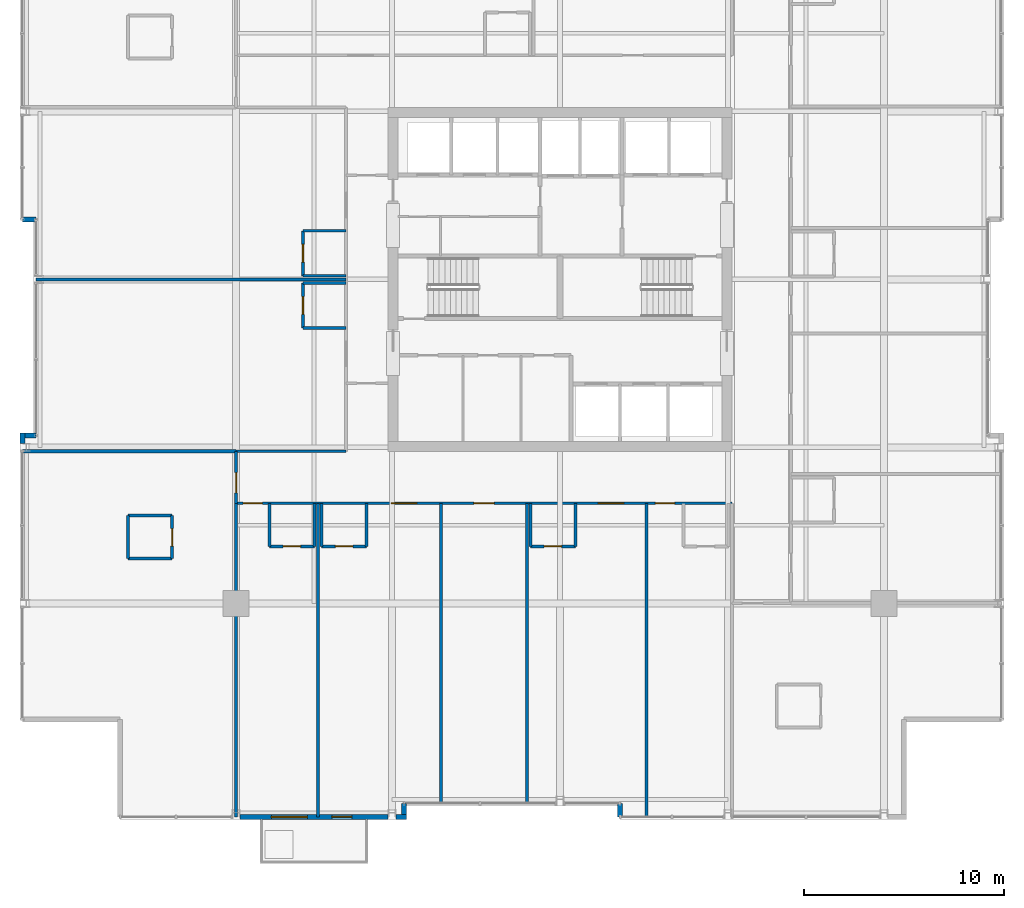
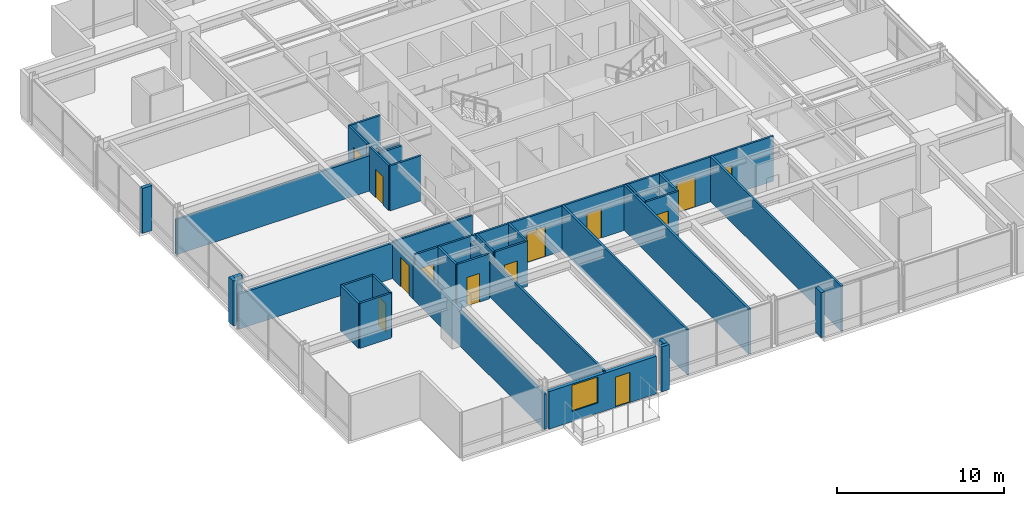
# One storey, part 26 of 32: 36 walls, 13 doors, 1 window, 14 openings.
"""IFC4 building model written with IfcOpenShell, lengths in metres."""

import ifcopenshell
import ifcopenshell.guid

model = None  # the IFC model being written
_history = None  # IfcOwnerHistory: only IFC2X3 demands one
_inside = {}  # id of a spatial element -> (the spatial element, [elements in it])
_under = {}  # id of a project, library or spatial element -> (it, [spatial elements below it])
_declared = {}  # id of a project -> (the project, [libraries it declares])
_typed = {}  # id of a type object -> (the type object, [elements of that type])
_made_of = {}  # id of a material, layer set ... -> (it, [elements and type objects made of it])


def new_model(schema):
    """Start an empty IFC model of exactly this schema.

    Asked for "IFC4X3", IfcOpenShell would pick the latest addendum, in which some entities
    have other attributes; the version numbers below select the first issue.
    IFC2X3 requires an IfcOwnerHistory on every rooted entity: one is made here for all.
    """
    global model, _history
    if schema == "IFC4X3":
        model = ifcopenshell.file(schema_version=(4, 3, 0, 0))
    else:
        model = ifcopenshell.file(schema=schema)
    _inside.clear()
    _under.clear()
    _declared.clear()
    _typed.clear()
    _made_of.clear()
    _history = None
    if model.schema == "IFC2X3":
        org = make("IfcOrganization", Name="unknown")
        user = make(
            "IfcPersonAndOrganization",
            ThePerson=make("IfcPerson", FamilyName="unknown"),
            TheOrganization=org,
        )
        app = make(
            "IfcApplication",
            ApplicationDeveloper=org,
            Version="unknown",
            ApplicationFullName="unknown",
            ApplicationIdentifier="unknown",
        )
        _history = make(
            "IfcOwnerHistory",
            OwningUser=user,
            OwningApplication=app,
            ChangeAction="ADDED",
            CreationDate=0,
        )
    return model


def make(cls, **values):
    """One entity of the class cls with the attributes given. An attribute that is None is left unset."""
    return model.create_entity(
        cls, **{name: value for name, value in values.items() if value is not None}
    )


def rooted(cls, **values):
    """An entity with a GlobalId (a new one), such as an element, a storey or a relation."""
    return make(cls, GlobalId=ifcopenshell.guid.new(), OwnerHistory=_history, **values)


def si_unit(unit_type, name, prefix=None):
    """IfcSIUnit, for example si_unit("LENGTHUNIT", "METRE", prefix="MILLI")."""
    return make("IfcSIUnit", UnitType=unit_type, Prefix=prefix, Name=name)


def assignment(units):
    """IfcUnitAssignment: the units of a project."""
    return None if units is None else make("IfcUnitAssignment", Units=units)


def point(xyz):
    """IfcCartesianPoint."""
    return None if xyz is None else make("IfcCartesianPoint", Coordinates=xyz)


def direction(xyz):
    """IfcDirection."""
    return None if xyz is None else make("IfcDirection", DirectionRatios=xyz)


def frame(location, z_axis=None, x_axis=None):
    """IfcAxis2Placement3D, a coordinate frame: its origin and axes. An axis left out is left unset."""
    return make(
        "IfcAxis2Placement3D",
        Location=point(location),
        Axis=direction(z_axis),
        RefDirection=direction(x_axis),
    )


def frame_2d(location, x_axis=None):
    """IfcAxis2Placement2D, a coordinate frame in the plane: its origin and x axis."""
    return make(
        "IfcAxis2Placement2D", Location=point(location), RefDirection=direction(x_axis)
    )


def origin():
    """The frame at (0, 0, 0) with its axes left unset."""
    return frame((0.0, 0.0, 0.0))


def place(relative_to, where):
    """IfcLocalPlacement: puts the frame where relative to a parent placement (None: the world)."""
    return make(
        "IfcLocalPlacement", PlacementRelTo=relative_to, RelativePlacement=where
    )


def context(
    kind, dimensions, precision=None, world=None, true_north=None, identifier=None
):
    """IfcGeometricRepresentationContext, for example the 3D "Model" context."""
    return make(
        "IfcGeometricRepresentationContext",
        ContextIdentifier=identifier,
        ContextType=kind,
        CoordinateSpaceDimension=dimensions,
        Precision=precision,
        WorldCoordinateSystem=world,
        TrueNorth=true_north,
    )


def subcontext(parent, identifier, kind, view, scale=None):
    """IfcGeometricRepresentationSubContext, for example "Body" below "Model"."""
    return make(
        "IfcGeometricRepresentationSubContext",
        ContextIdentifier=identifier,
        ContextType=kind,
        ParentContext=parent,
        TargetScale=scale,
        TargetView=view,
    )


def project(units=None, contexts=None):
    """IfcProject with its units and contexts."""
    return rooted(
        "IfcProject",
        Name="project",
        RepresentationContexts=contexts,
        UnitsInContext=assignment(units),
    )


def spatial(cls, under=None, at=None, **own):
    """A site, building, storey or space (cls), placed at a placement, below another one or the project."""
    s = rooted(cls, ObjectPlacement=at, **own)
    if under is not None:
        _under.setdefault(under.id(), (under, []))[1].append(s)
    return s


def profile(cls, at=None, kind="AREA", **sizes):
    """A parametric profile (cls). Its sizes go by their IFC names, for example OverallWidth=200.0."""
    return make(cls, ProfileType=kind, Position=at, **sizes)


def rectangle(**sizes):
    """IfcRectangleProfileDef."""
    return profile("IfcRectangleProfileDef", **sizes)


def extrude(swept, where, along, depth):
    """IfcExtrudedAreaSolid: the profile swept, set in the frame where, extruded along a direction by depth."""
    return make(
        "IfcExtrudedAreaSolid",
        SweptArea=swept,
        Position=where,
        ExtrudedDirection=direction(along),
        Depth=depth,
    )


def shape(context_of_items, identifier, shape_type, items):
    """IfcShapeRepresentation: the items that make up one representation, for example the "Body"."""
    return make(
        "IfcShapeRepresentation",
        ContextOfItems=context_of_items,
        RepresentationIdentifier=identifier,
        RepresentationType=shape_type,
        Items=items,
    )


def material(Name=None, Category=None):
    """IfcMaterial."""
    return make("IfcMaterial", Name=Name, Category=Category)


def layer(
    of_material, thickness, ventilated=None, Name=None, Category=None, Priority=None
):
    """IfcMaterialLayer: one layer of a wall or slab, of a material (None: an air gap)."""
    return make(
        "IfcMaterialLayer",
        Material=of_material,
        LayerThickness=thickness,
        IsVentilated=ventilated,
        Name=Name,
        Category=Category,
        Priority=Priority,
    )


def layer_set(layers, Name=None):
    """IfcMaterialLayerSet."""
    return make("IfcMaterialLayerSet", MaterialLayers=layers, LayerSetName=Name)


def made_of(thing, what):
    """Note that an element or type object is made of a material, layer set ...; save() writes the relation."""
    if what is not None:
        _made_of.setdefault(what.id(), (what, []))[1].append(thing)
    return thing


def type_object(cls, material=None, **own):
    """A type object (cls), such as IfcWallType, which elements share."""
    return made_of(rooted(cls, **own), material)


def element(
    cls,
    number,
    at=None,
    inside=None,
    cuts=None,
    type_object=None,
    material=None,
    context=None,
    identifier="Body",
    shape_type=None,
    held_by="IfcProductDefinitionShape",
    body=None,
    shapes=None,
    **own,
):
    """One element of the class cls, such as IfcWall. Its Tag is "e" and its number.

    at: its placement. inside: the storey or other place that contains it. cuts: it is an
    opening in that element (IfcRelVoidsElement). A single representation is given by context,
    identifier, shape_type and body (its items); several are given by shapes. held_by: the class
    of the entity that holds the representations. save() writes the other relations.
    """
    e = rooted(cls, Tag="e%d" % number, ObjectPlacement=at, **own)
    if body is not None:
        shapes = [shape(context, identifier, shape_type, body)]
    if shapes is not None:
        e.Representation = make(held_by, Representations=shapes)
    if inside is not None:
        _inside.setdefault(inside.id(), (inside, []))[1].append(e)
    if cuts is not None:
        rooted(
            "IfcRelVoidsElement", RelatingBuildingElement=cuts, RelatedOpeningElement=e
        )
    if type_object is not None:
        _typed.setdefault(type_object.id(), (type_object, []))[1].append(e)
    return made_of(e, material)


def fill(opening, filler):
    """IfcRelFillsElement: the door or window that sits in an opening."""
    return rooted(
        "IfcRelFillsElement",
        RelatingOpeningElement=opening,
        RelatedBuildingElement=filler,
    )


def aggregate(whole, parts):
    """IfcRelAggregates: a whole, such as a stair, and the parts it consists of."""
    return rooted("IfcRelAggregates", RelatingObject=whole, RelatedObjects=parts)


def save(model, path):
    """Write the relations noted so far, then the file.

    IfcRelAggregates (storeys below a building ...), IfcRelContainedInSpatialStructure (elements
    in a storey), IfcRelDefinesByType, IfcRelAssociatesMaterial and IfcRelDeclares: one each for
    every whole, place, type object, material and project.
    """
    for whole, parts in _under.values():
        aggregate(whole, parts)
    for where, things in _inside.values():
        rooted(
            "IfcRelContainedInSpatialStructure",
            RelatedElements=things,
            RelatingStructure=where,
        )
    for kind, things in _typed.values():
        rooted("IfcRelDefinesByType", RelatedObjects=things, RelatingType=kind)
    for what, things in _made_of.values():
        rooted("IfcRelAssociatesMaterial", RelatedObjects=things, RelatingMaterial=what)
    for by, libraries in _declared.values():
        rooted("IfcRelDeclares", RelatingContext=by, RelatedDefinitions=libraries)
    model.write(path)


model = new_model("IFC4")

# Units and contexts
model_context = context("Model", 3, precision=1e-05, world=origin(), true_north=direction((0.0, 1.0)))
body_context = subcontext(model_context, "Body", "Model", "MODEL_VIEW")
ifc_project = project(units=[si_unit("LENGTHUNIT", "METRE"), si_unit("AREAUNIT", "SQUARE_METRE"), si_unit("VOLUMEUNIT", "CUBIC_METRE"), si_unit("PLANEANGLEUNIT", "RADIAN"), si_unit("MASSUNIT", "GRAM", prefix="KILO")], contexts=[model_context])

# Site, building, storey
site_placement = place(None, origin())
site = spatial("IfcSite", under=ifc_project, at=site_placement, CompositionType="ELEMENT")
building_placement = place(site_placement, origin())
building = spatial("IfcBuilding", under=site, at=building_placement, Name="Drelvath Grand Hotel", CompositionType="ELEMENT")
storey_placement = place(building_placement, frame((0.0, 0.0, 193.0)))
storey = spatial("IfcBuildingStorey", under=building, at=storey_placement, Name="L50", CompositionType="ELEMENT", Elevation=193.0)

# Wall
ifc_material_1 = material(Name="Gypsum Fireboard Partition")
ifc_layer_1 = layer(ifc_material_1, 0.135009765625)
ifc_layer_set_1 = layer_set([ifc_layer_1], Name="Gypsum Fireboard Partition")
wall_type_1 = type_object("IfcWallType", Name="Corridor Fire Barrier Wall 135", PredefinedType="PARTITIONING", material=ifc_layer_set_1)
wall_1_placement = place(storey_placement, frame((-16.199951171875, 18.39990234375, 0.0), z_axis=(0.0, 0.0, 1.0), x_axis=(1.0, 0.0, 0.0)))
element("IfcWall", 1, at=wall_1_placement, inside=storey, type_object=wall_type_1, Name="L50 SW Stub North Wall", PredefinedType="PARTITIONING", context=body_context, shape_type="SweptSolid", body=[
    extrude(rectangle(XDim=5.5, YDim=0.135009765625, at=frame_2d((2.75, 0.0))), origin(), (0.0, 0.0, 1.0), 2.66748046875),
])

# Wall, openings, doors
wall_2_placement = place(storey_placement, frame((-16.199951171875, 15.800048828125, 0.0), z_axis=(0.0, 0.0, 1.0), x_axis=(1.0, 0.0, 0.0)))
wall_2 = element("IfcWall", 2, at=wall_2_placement, inside=storey, type_object=wall_type_1, Name="L50 South Stub Corridor Wall", PredefinedType="PARTITIONING", context=body_context, shape_type="SweptSolid", body=[
    extrude(rectangle(XDim=24.800048828125, YDim=0.135009765625, at=frame_2d((12.39990234375, 0.0))), origin(), (0.0, 0.0, 1.0), 3.2900390625),
])
opening_1_placement = place(wall_2_placement, frame((0.35498046875, 0.0, 0.0)))
opening_1 = element("IfcOpeningElement", 3, at=opening_1_placement, cuts=wall_2, Name="Opening D-T3G5-035", PredefinedType="OPENING", context=body_context, shape_type="SweptSolid", body=[
    extrude(rectangle(XDim=0.9599609375, YDim=2.14990234375, at=frame_2d((0.47998046875, 1.074951171875))), frame((0.0, 0.077392578125, 0.0), z_axis=(0.0, -1.0, 0.0), x_axis=(1.0, 0.0, 0.0)), (0.0, 0.0, 1.0), 0.155029296875),
])
opening_2_placement = place(wall_2_placement, frame((7.76611328125, 0.0, 0.0)))
opening_2 = element("IfcOpeningElement", 4, at=opening_2_placement, cuts=wall_2, Name="Opening D-T3G5-037", PredefinedType="OPENING", context=body_context, shape_type="SweptSolid", body=[
    extrude(rectangle(XDim=1.260009765625, YDim=2.199951171875, at=frame_2d((0.6298828125, 1.10009765625))), frame((0.0, 0.077392578125, 0.0), z_axis=(0.0, -1.0, 0.0), x_axis=(1.0, 0.0, 0.0)), (0.0, 0.0, 1.0), 0.155029296875),
])
opening_3_placement = place(wall_2_placement, frame((11.889892578125, 0.0, 0.0)))
opening_3 = element("IfcOpeningElement", 5, at=opening_3_placement, cuts=wall_2, Name="Opening D-T3G5-038", PredefinedType="OPENING", context=body_context, shape_type="SweptSolid", body=[
    extrude(rectangle(XDim=1.02001953125, YDim=2.14990234375, at=frame_2d((0.510009765625, 1.074951171875))), frame((0.0, 0.077392578125, 0.0), z_axis=(0.0, -1.0, 0.0), x_axis=(1.0, 0.0, 0.0)), (0.0, 0.0, 1.0), 0.155029296875),
])
opening_4_placement = place(wall_2_placement, frame((18.115966796875, 0.0, 0.0)))
opening_4 = element("IfcOpeningElement", 6, at=opening_4_placement, cuts=wall_2, Name="Opening D-T3G5-040", PredefinedType="OPENING", context=body_context, shape_type="SweptSolid", body=[
    extrude(rectangle(XDim=1.260009765625, YDim=2.199951171875, at=frame_2d((0.6298828125, 1.10009765625))), frame((0.0, 0.077392578125, 0.0), z_axis=(0.0, -1.0, 0.0), x_axis=(1.0, 0.0, 0.0)), (0.0, 0.0, 1.0), 0.155029296875),
])
opening_5_placement = place(wall_2_placement, frame((20.967041015625, 0.0, 0.0)))
opening_5 = element("IfcOpeningElement", 7, at=opening_5_placement, cuts=wall_2, Name="Opening D-T3G5-042", PredefinedType="OPENING", context=body_context, shape_type="SweptSolid", body=[
    extrude(rectangle(XDim=0.9599609375, YDim=2.14990234375, at=frame_2d((0.47998046875, 1.074951171875))), frame((0.0, 0.077392578125, 0.0), z_axis=(0.0, -1.0, 0.0), x_axis=(1.0, 0.0, 0.0)), (0.0, 0.0, 1.0), 0.155029296875),
])
ifc_material_2 = material(Name="Hardwood Walnut Timber", Category="wood")
door_type_1 = type_object("IfcDoorType", Name="Amenity Meeting Fire Door 1020x2150", OperationType="NOTDEFINED", PredefinedType="DOOR", material=ifc_material_2)
door_1_placement = place(opening_3_placement, origin())
door_1 = element("IfcDoor", 8, at=door_1_placement, inside=storey, type_object=door_type_1, Name="L50 Boardroom Entry Door", OperationType="SINGLE_SWING_RIGHT", OverallHeight=2.14990234375, OverallWidth=1.02001953125, PredefinedType="DOOR", context=body_context, shape_type="SweptSolid", body=[
    extrude(rectangle(XDim=1.02001953125, YDim=2.14990234375, at=frame_2d((0.510009765625, 1.074951171875))), frame((0.0, 0.02490234375, 0.0), z_axis=(0.0, -1.0, 0.0), x_axis=(1.0, 0.0, 0.0)), (0.0, 0.0, 1.0), 0.050048828125),
])
fill(opening_3, door_1)
door_type_2 = type_object("IfcDoorType", Name="Guestroom Entrance Fire Door 960x2150", OperationType="NOTDEFINED", PredefinedType="DOOR", material=ifc_material_2)
door_2_placement = place(opening_1_placement, origin())
door_2 = element("IfcDoor", 9, at=door_2_placement, inside=storey, type_object=door_type_2, Name="L50 King Guest Room Entry Door", OperationType="SINGLE_SWING_LEFT", OverallHeight=2.14990234375, OverallWidth=0.9599609375, PredefinedType="DOOR", context=body_context, shape_type="SweptSolid", body=[
    extrude(rectangle(XDim=0.9599609375, YDim=2.14990234375, at=frame_2d((0.47998046875, 1.074951171875))), frame((0.0, 0.02490234375, 0.0), z_axis=(0.0, -1.0, 0.0), x_axis=(1.0, 0.0, 0.0)), (0.0, 0.0, 1.0), 0.050048828125),
])
fill(opening_1, door_2)
door_3_placement = place(opening_5_placement, origin())
door_3 = element("IfcDoor", 10, at=door_3_placement, inside=storey, type_object=door_type_2, Name="L50 King Guest Room Entry Door", OperationType="SINGLE_SWING_RIGHT", OverallHeight=2.14990234375, OverallWidth=0.9599609375, PredefinedType="DOOR", context=body_context, shape_type="SweptSolid", body=[
    extrude(rectangle(XDim=0.9599609375, YDim=2.14990234375, at=frame_2d((0.47998046875, 1.074951171875))), frame((0.0, 0.02490234375, 0.0), z_axis=(0.0, -1.0, 0.0), x_axis=(1.0, 0.0, 0.0)), (0.0, 0.0, 1.0), 0.050048828125),
])
fill(opening_5, door_3)
door_type_3 = type_object("IfcDoorType", Name="Suite Entrance Fire Door 1260x2200", OperationType="NOTDEFINED", PredefinedType="DOOR", material=ifc_material_2)
door_4_placement = place(opening_2_placement, origin())
door_4 = element("IfcDoor", 11, at=door_4_placement, inside=storey, type_object=door_type_3, Name="L50 Executive Suite Entry Door", OperationType="SINGLE_SWING_LEFT", OverallHeight=2.199951171875, OverallWidth=1.260009765625, PredefinedType="DOOR", context=body_context, shape_type="SweptSolid", body=[
    extrude(rectangle(XDim=1.260009765625, YDim=2.199951171875, at=frame_2d((0.6298828125, 1.10009765625))), frame((0.0, 0.02490234375, 0.0), z_axis=(0.0, -1.0, 0.0), x_axis=(1.0, 0.0, 0.0)), (0.0, 0.0, 1.0), 0.050048828125),
])
fill(opening_2, door_4)
door_5_placement = place(opening_4_placement, origin())
door_5 = element("IfcDoor", 12, at=door_5_placement, inside=storey, type_object=door_type_3, Name="L50 Executive Suite Entry Door", OperationType="SINGLE_SWING_RIGHT", OverallHeight=2.199951171875, OverallWidth=1.260009765625, PredefinedType="DOOR", context=body_context, shape_type="SweptSolid", body=[
    extrude(rectangle(XDim=1.260009765625, YDim=2.199951171875, at=frame_2d((0.6298828125, 1.10009765625))), frame((0.0, 0.02490234375, 0.0), z_axis=(0.0, -1.0, 0.0), x_axis=(1.0, 0.0, 0.0)), (0.0, 0.0, 1.0), 0.050048828125),
])
fill(opening_4, door_5)

# Wall, opening, door
wall_3_placement = place(storey_placement, frame((-16.199951171875, 15.800048828125, 0.0), z_axis=(0.0, 0.0, 1.0), x_axis=(0.0, 1.0, 0.0)))
wall_3 = element("IfcWall", 13, at=wall_3_placement, inside=storey, type_object=wall_type_1, Name="L50 South Stub West End", PredefinedType="PARTITIONING", context=body_context, shape_type="SweptSolid", body=[
    extrude(rectangle(XDim=2.599853515625, YDim=0.135009765625, at=frame_2d((1.2998046875, 0.0))), origin(), (0.0, 0.0, 1.0), 2.57958984375),
])
opening_6_placement = place(wall_3_placement, frame((0.52001953125, 0.0, 0.0)))
opening_6 = element("IfcOpeningElement", 14, at=opening_6_placement, cuts=wall_3, Name="Opening D-T3G5-027", PredefinedType="OPENING", context=body_context, shape_type="SweptSolid", body=[
    extrude(rectangle(XDim=1.02001953125, YDim=2.14990234375, at=frame_2d((0.510009765625, 1.074951171875))), frame((0.0, 0.077392578125, 0.0), z_axis=(0.0, -1.0, 0.0), x_axis=(1.0, 0.0, 0.0)), (0.0, 0.0, 1.0), 0.155029296875),
])
door_6_placement = place(opening_6_placement, origin())
door_6 = element("IfcDoor", 15, at=door_6_placement, inside=storey, type_object=door_type_1, Name="L50 Executive Suite Entry Door", OperationType="SINGLE_SWING_LEFT", OverallHeight=2.14990234375, OverallWidth=1.02001953125, PredefinedType="DOOR", context=body_context, shape_type="SweptSolid", body=[
    extrude(rectangle(XDim=1.02001953125, YDim=2.14990234375, at=frame_2d((0.510009765625, 1.074951171875))), frame((0.0, 0.02490234375, 0.0), z_axis=(0.0, -1.0, 0.0), x_axis=(1.0, 0.0, 0.0)), (0.0, 0.0, 1.0), 0.050048828125),
])
fill(opening_6, door_6)

# Walls
ifc_material_3 = material(Name="Moisture-Resistant Gypsum Board")
ifc_layer_2 = layer(ifc_material_3, 0.139892578125)
ifc_layer_set_2 = layer_set([ifc_layer_2], Name="Moisture-Resistant Gypsum Board")
wall_type_2 = type_object("IfcWallType", Name="En-Suite Plumbing Wall 140", PredefinedType="PLUMBINGWALL", material=ifc_layer_set_2)
for number, where, z_axis, x_axis, name in (
    (16, (-21.60009765625, 13.0400390625, 0.0), (0.0, 0.0, 1.0), (1.0, 0.0, 0.0), "L50 Corner En-Suite South"),
    (17, (-21.60009765625, 15.18994140625, 0.0), (0.0, 0.0, 1.0), (1.0, 0.0, 0.0), "L50 Corner En-Suite North"),
):
    element("IfcWall", number, at=place(storey_placement, frame(where, z_axis=z_axis, x_axis=x_axis)), inside=storey, type_object=wall_type_2, Name=name, PredefinedType="PLUMBINGWALL", context=body_context, shape_type="SweptSolid", body=[
        extrude(rectangle(XDim=2.2001953125, YDim=0.139892578125, at=frame_2d((1.10009765625, 0.0))), origin(), (0.0, 0.0, 1.0), 3.2900390625),
    ])
wall_4_placement = place(storey_placement, frame((-21.60009765625, 13.0400390625, 0.0), z_axis=(0.0, 0.0, 1.0), x_axis=(0.0, 1.0, 0.0)))
element("IfcWall", 18, at=wall_4_placement, inside=storey, type_object=wall_type_2, Name="L50 Corner En-Suite West", PredefinedType="PLUMBINGWALL", context=body_context, shape_type="SweptSolid", body=[
    extrude(rectangle(XDim=2.14990234375, YDim=0.139892578125, at=frame_2d((1.074951171875, 0.0))), origin(), (0.0, 0.0, 1.0), 3.2900390625),
])

# Wall, opening, door
wall_5_placement = place(storey_placement, frame((-19.39990234375, 13.0400390625, 0.0), z_axis=(0.0, 0.0, 1.0), x_axis=(0.0, 1.0, 0.0)))
wall_5 = element("IfcWall", 19, at=wall_5_placement, inside=storey, type_object=wall_type_2, Name="L50 Corner En-Suite East", PredefinedType="PLUMBINGWALL", context=body_context, shape_type="SweptSolid", body=[
    extrude(rectangle(XDim=2.14990234375, YDim=0.139892578125, at=frame_2d((1.074951171875, 0.0))), origin(), (0.0, 0.0, 1.0), 3.2900390625),
])
opening_7_placement = place(wall_5_placement, frame((0.6201171875, 0.0, 0.0)))
opening_7 = element("IfcOpeningElement", 20, at=opening_7_placement, cuts=wall_5, Name="Opening D-T3G5-026", PredefinedType="OPENING", context=body_context, shape_type="SweptSolid", body=[
    extrude(rectangle(XDim=0.8798828125, YDim=2.10009765625, at=frame_2d((0.43994140625, 1.050048828125))), frame((0.0, 0.079833984375, 0.0), z_axis=(0.0, -1.0, 0.0), x_axis=(1.0, 0.0, 0.0)), (0.0, 0.0, 1.0), 0.159912109375),
])
door_type_4 = type_object("IfcDoorType", Name="En-Suite Bathroom Door 880x2100", OperationType="NOTDEFINED", PredefinedType="DOOR", material=ifc_material_2)
door_7_placement = place(opening_7_placement, origin())
door_7 = element("IfcDoor", 21, at=door_7_placement, inside=storey, type_object=door_type_4, Name="L50 Corner En-Suite Door", OperationType="SINGLE_SWING_RIGHT", OverallHeight=2.10009765625, OverallWidth=0.8798828125, PredefinedType="DOOR", context=body_context, shape_type="SweptSolid", body=[
    extrude(rectangle(XDim=0.8798828125, YDim=2.10009765625, at=frame_2d((0.43994140625, 1.050048828125))), frame((0.0, 0.02490234375, 0.0), z_axis=(0.0, -1.0, 0.0), x_axis=(1.0, 0.0, 0.0)), (0.0, 0.0, 1.0), 0.050048828125),
])
fill(opening_7, door_7)

# Walls
wall_6_placement = place(storey_placement, frame((-14.530029296875, 15.800048828125, 0.0), z_axis=(0.0, 0.0, 1.0), x_axis=(0.0, -1.0, 0.0)))
element("IfcWall", 22, at=wall_6_placement, inside=storey, type_object=wall_type_2, Name="L50 En-Suite Left Wall", PredefinedType="PLUMBINGWALL", context=body_context, shape_type="SweptSolid", body=[
    extrude(rectangle(XDim=2.150146484375, YDim=0.139892578125, at=frame_2d((1.0751953125, 0.0))), origin(), (0.0, 0.0, 1.0), 3.2900390625),
])
wall_7_placement = place(storey_placement, frame((-12.280029296875, 15.800048828125, 0.0), z_axis=(0.0, 0.0, 1.0), x_axis=(0.0, -1.0, 0.0)))
element("IfcWall", 23, at=wall_7_placement, inside=storey, type_object=wall_type_2, Name="L50 En-Suite Right Wall", PredefinedType="PLUMBINGWALL", context=body_context, shape_type="SweptSolid", body=[
    extrude(rectangle(XDim=2.150146484375, YDim=0.139892578125, at=frame_2d((1.0751953125, 0.0))), origin(), (0.0, 0.0, 1.0), 2.868408203125),
])

# Wall, opening, door
wall_8_placement = place(storey_placement, frame((-14.530029296875, 13.64990234375, 0.0), z_axis=(0.0, 0.0, 1.0), x_axis=(1.0, 0.0, 0.0)))
wall_8 = element("IfcWall", 24, at=wall_8_placement, inside=storey, type_object=wall_type_2, Name="L50 En-Suite Front Wall", PredefinedType="PLUMBINGWALL", context=body_context, shape_type="SweptSolid", body=[
    extrude(rectangle(XDim=2.25, YDim=0.139892578125, at=frame_2d((1.125, 0.0))), origin(), (0.0, 0.0, 1.0), 3.2900390625),
])
opening_8_placement = place(wall_8_placement, frame((0.68505859375, 0.0, 0.0)))
opening_8 = element("IfcOpeningElement", 25, at=opening_8_placement, cuts=wall_8, Name="Opening D-T3G5-034", PredefinedType="OPENING", context=body_context, shape_type="SweptSolid", body=[
    extrude(rectangle(XDim=0.8798828125, YDim=2.10009765625, at=frame_2d((0.43994140625, 1.050048828125))), frame((0.0, 0.079833984375, 0.0), z_axis=(0.0, -1.0, 0.0), x_axis=(1.0, 0.0, 0.0)), (0.0, 0.0, 1.0), 0.159912109375),
])
door_8_placement = place(opening_8_placement, origin())
door_8 = element("IfcDoor", 26, at=door_8_placement, inside=storey, type_object=door_type_4, Name="L50 En-Suite Bathroom Door", OperationType="SINGLE_SWING_RIGHT", OverallHeight=2.10009765625, OverallWidth=0.8798828125, PredefinedType="DOOR", context=body_context, shape_type="SweptSolid", body=[
    extrude(rectangle(XDim=0.8798828125, YDim=2.10009765625, at=frame_2d((0.43994140625, 1.050048828125))), frame((0.0, 0.02490234375, 0.0), z_axis=(0.0, -1.0, 0.0), x_axis=(1.0, 0.0, 0.0)), (0.0, 0.0, 1.0), 0.050048828125),
])
fill(opening_8, door_8)

# Walls
for number, where, z_axis, x_axis, name in (
    (27, (-11.919921875, 15.800048828125, 0.0), (0.0, 0.0, 1.0), (0.0, -1.0, 0.0), "L50 En-Suite Left Wall"),
    (28, (-9.669921875, 15.800048828125, 0.0), (0.0, 0.0, 1.0), (0.0, -1.0, 0.0), "L50 En-Suite Right Wall"),
):
    element("IfcWall", number, at=place(storey_placement, frame(where, z_axis=z_axis, x_axis=x_axis)), inside=storey, type_object=wall_type_2, Name=name, PredefinedType="PLUMBINGWALL", context=body_context, shape_type="SweptSolid", body=[
        extrude(rectangle(XDim=2.150146484375, YDim=0.139892578125, at=frame_2d((1.0751953125, 0.0))), origin(), (0.0, 0.0, 1.0), 3.2900390625),
    ])

# Wall, opening, door
wall_9_placement = place(storey_placement, frame((-11.919921875, 13.64990234375, 0.0), z_axis=(0.0, 0.0, 1.0), x_axis=(1.0, 0.0, 0.0)))
wall_9 = element("IfcWall", 29, at=wall_9_placement, inside=storey, type_object=wall_type_2, Name="L50 En-Suite Front Wall", PredefinedType="PLUMBINGWALL", context=body_context, shape_type="SweptSolid", body=[
    extrude(rectangle(XDim=2.25, YDim=0.139892578125, at=frame_2d((1.125, 0.0))), origin(), (0.0, 0.0, 1.0), 3.2900390625),
])
opening_9_placement = place(wall_9_placement, frame((0.68505859375, 0.0, 0.0)))
opening_9 = element("IfcOpeningElement", 30, at=opening_9_placement, cuts=wall_9, Name="Opening D-T3G5-036", PredefinedType="OPENING", context=body_context, shape_type="SweptSolid", body=[
    extrude(rectangle(XDim=0.8798828125, YDim=2.10009765625, at=frame_2d((0.43994140625, 1.050048828125))), frame((0.0, 0.079833984375, 0.0), z_axis=(0.0, -1.0, 0.0), x_axis=(1.0, 0.0, 0.0)), (0.0, 0.0, 1.0), 0.159912109375),
])
door_9_placement = place(opening_9_placement, origin())
door_9 = element("IfcDoor", 31, at=door_9_placement, inside=storey, type_object=door_type_4, Name="L50 En-Suite Bathroom Door", OperationType="SINGLE_SWING_RIGHT", OverallHeight=2.10009765625, OverallWidth=0.8798828125, PredefinedType="DOOR", context=body_context, shape_type="SweptSolid", body=[
    extrude(rectangle(XDim=0.8798828125, YDim=2.10009765625, at=frame_2d((0.43994140625, 1.050048828125))), frame((0.0, 0.02490234375, 0.0), z_axis=(0.0, -1.0, 0.0), x_axis=(1.0, 0.0, 0.0)), (0.0, 0.0, 1.0), 0.050048828125),
])
fill(opening_9, door_9)

# Walls
for number, where, z_axis, x_axis, name in (
    (32, (-1.482177734375, 15.800048828125, 0.0), (0.0, 0.0, 1.0), (0.0, -1.0, 0.0), "L50 En-Suite Left Wall"),
    (33, (0.767822265625, 15.800048828125, 0.0), (0.0, 0.0, 1.0), (0.0, -1.0, 0.0), "L50 En-Suite Right Wall"),
):
    element("IfcWall", number, at=place(storey_placement, frame(where, z_axis=z_axis, x_axis=x_axis)), inside=storey, type_object=wall_type_2, Name=name, PredefinedType="PLUMBINGWALL", context=body_context, shape_type="SweptSolid", body=[
        extrude(rectangle(XDim=2.150146484375, YDim=0.139892578125, at=frame_2d((1.0751953125, 0.0))), origin(), (0.0, 0.0, 1.0), 3.2900390625),
    ])

# Wall, opening, door
wall_10_placement = place(storey_placement, frame((-1.482177734375, 13.64990234375, 0.0), z_axis=(0.0, 0.0, 1.0), x_axis=(1.0, 0.0, 0.0)))
wall_10 = element("IfcWall", 34, at=wall_10_placement, inside=storey, type_object=wall_type_2, Name="L50 En-Suite Front Wall", PredefinedType="PLUMBINGWALL", context=body_context, shape_type="SweptSolid", body=[
    extrude(rectangle(XDim=2.25, YDim=0.139892578125, at=frame_2d((1.125, 0.0))), origin(), (0.0, 0.0, 1.0), 3.2900390625),
])
opening_10_placement = place(wall_10_placement, frame((0.68505859375, 0.0, 0.0)))
opening_10 = element("IfcOpeningElement", 35, at=opening_10_placement, cuts=wall_10, Name="Opening D-T3G5-039", PredefinedType="OPENING", context=body_context, shape_type="SweptSolid", body=[
    extrude(rectangle(XDim=0.8798828125, YDim=2.10009765625, at=frame_2d((0.43994140625, 1.050048828125))), frame((0.0, 0.079833984375, 0.0), z_axis=(0.0, -1.0, 0.0), x_axis=(1.0, 0.0, 0.0)), (0.0, 0.0, 1.0), 0.159912109375),
])
door_10_placement = place(opening_10_placement, origin())
door_10 = element("IfcDoor", 36, at=door_10_placement, inside=storey, type_object=door_type_4, Name="L50 En-Suite Bathroom Door", OperationType="SINGLE_SWING_LEFT", OverallHeight=2.10009765625, OverallWidth=0.8798828125, PredefinedType="DOOR", context=body_context, shape_type="SweptSolid", body=[
    extrude(rectangle(XDim=0.8798828125, YDim=2.10009765625, at=frame_2d((0.43994140625, 1.050048828125))), frame((0.0, 0.02490234375, 0.0), z_axis=(0.0, -1.0, 0.0), x_axis=(1.0, 0.0, 0.0)), (0.0, 0.0, 1.0), 0.050048828125),
])
fill(opening_10, door_10)

# Walls
wall_11_placement = place(storey_placement, frame((-10.699951171875, 24.570068359375, 0.0), z_axis=(0.0, 0.0, 1.0), x_axis=(-1.0, 0.0, 0.0)))
element("IfcWall", 37, at=wall_11_placement, inside=storey, type_object=wall_type_2, Name="L50 En-Suite Left Wall", PredefinedType="PLUMBINGWALL", context=body_context, shape_type="SweptSolid", body=[
    extrude(rectangle(XDim=2.150146484375, YDim=0.139892578125, at=frame_2d((1.0751953125, 0.0))), origin(), (0.0, 0.0, 1.0), 3.2900390625),
])
wall_12_placement = place(storey_placement, frame((-10.699951171875, 26.820068359375, 0.0), z_axis=(0.0, 0.0, 1.0), x_axis=(-1.0, 0.0, 0.0)))
element("IfcWall", 38, at=wall_12_placement, inside=storey, type_object=wall_type_2, Name="L50 En-Suite Right Wall", PredefinedType="PLUMBINGWALL", context=body_context, shape_type="SweptSolid", body=[
    extrude(rectangle(XDim=2.150146484375, YDim=0.139892578125, at=frame_2d((1.0751953125, 0.0))), origin(), (0.0, 0.0, 1.0), 2.66748046875),
])

# Wall, opening, door
wall_13_placement = place(storey_placement, frame((-12.85009765625, 24.570068359375, 0.0), z_axis=(0.0, 0.0, 1.0), x_axis=(0.0, 1.0, 0.0)))
wall_13 = element("IfcWall", 39, at=wall_13_placement, inside=storey, type_object=wall_type_2, Name="L50 En-Suite Front Wall", PredefinedType="PLUMBINGWALL", context=body_context, shape_type="SweptSolid", body=[
    extrude(rectangle(XDim=2.25, YDim=0.139892578125, at=frame_2d((1.125, 0.0))), origin(), (0.0, 0.0, 1.0), 3.2900390625),
])
opening_11_placement = place(wall_13_placement, frame((0.68505859375, 0.0, 0.0)))
opening_11 = element("IfcOpeningElement", 40, at=opening_11_placement, cuts=wall_13, Name="Opening D-T3G5-054", PredefinedType="OPENING", context=body_context, shape_type="SweptSolid", body=[
    extrude(rectangle(XDim=0.8798828125, YDim=2.10009765625, at=frame_2d((0.43994140625, 1.050048828125))), frame((0.0, 0.079833984375, 0.0), z_axis=(0.0, -1.0, 0.0), x_axis=(1.0, 0.0, 0.0)), (0.0, 0.0, 1.0), 0.159912109375),
])
door_11_placement = place(opening_11_placement, origin())
door_11 = element("IfcDoor", 41, at=door_11_placement, inside=storey, type_object=door_type_4, Name="L50 En-Suite Bathroom Door", OperationType="SINGLE_SWING_RIGHT", OverallHeight=2.10009765625, OverallWidth=0.8798828125, PredefinedType="DOOR", context=body_context, shape_type="SweptSolid", body=[
    extrude(rectangle(XDim=0.8798828125, YDim=2.10009765625, at=frame_2d((0.43994140625, 1.050048828125))), frame((0.0, 0.02490234375, 0.0), z_axis=(0.0, -1.0, 0.0), x_axis=(1.0, 0.0, 0.0)), (0.0, 0.0, 1.0), 0.050048828125),
])
fill(opening_11, door_11)

# Walls
wall_14_placement = place(storey_placement, frame((-10.699951171875, 27.179931640625, 0.0), z_axis=(0.0, 0.0, 1.0), x_axis=(-1.0, 0.0, 0.0)))
element("IfcWall", 42, at=wall_14_placement, inside=storey, type_object=wall_type_2, Name="L50 En-Suite Left Wall", PredefinedType="PLUMBINGWALL", context=body_context, shape_type="SweptSolid", body=[
    extrude(rectangle(XDim=2.150146484375, YDim=0.139892578125, at=frame_2d((1.0751953125, 0.0))), origin(), (0.0, 0.0, 1.0), 2.66748046875),
])
wall_15_placement = place(storey_placement, frame((-10.699951171875, 29.429931640625, 0.0), z_axis=(0.0, 0.0, 1.0), x_axis=(-1.0, 0.0, 0.0)))
element("IfcWall", 43, at=wall_15_placement, inside=storey, type_object=wall_type_2, Name="L50 En-Suite Right Wall", PredefinedType="PLUMBINGWALL", context=body_context, shape_type="SweptSolid", body=[
    extrude(rectangle(XDim=2.150146484375, YDim=0.139892578125, at=frame_2d((1.0751953125, 0.0))), origin(), (0.0, 0.0, 1.0), 3.2900390625),
])

# Wall, opening, door
wall_16_placement = place(storey_placement, frame((-12.85009765625, 27.179931640625, 0.0), z_axis=(0.0, 0.0, 1.0), x_axis=(0.0, 1.0, 0.0)))
wall_16 = element("IfcWall", 44, at=wall_16_placement, inside=storey, type_object=wall_type_2, Name="L50 En-Suite Front Wall", PredefinedType="PLUMBINGWALL", context=body_context, shape_type="SweptSolid", body=[
    extrude(rectangle(XDim=2.25, YDim=0.139892578125, at=frame_2d((1.125, 0.0))), origin(), (0.0, 0.0, 1.0), 3.2900390625),
])
opening_12_placement = place(wall_16_placement, frame((0.68505859375, 0.0, 0.0)))
opening_12 = element("IfcOpeningElement", 45, at=opening_12_placement, cuts=wall_16, Name="Opening D-T3G5-056", PredefinedType="OPENING", context=body_context, shape_type="SweptSolid", body=[
    extrude(rectangle(XDim=0.8798828125, YDim=2.10009765625, at=frame_2d((0.43994140625, 1.050048828125))), frame((0.0, 0.079833984375, 0.0), z_axis=(0.0, -1.0, 0.0), x_axis=(1.0, 0.0, 0.0)), (0.0, 0.0, 1.0), 0.159912109375),
])
door_12_placement = place(opening_12_placement, origin())
door_12 = element("IfcDoor", 46, at=door_12_placement, inside=storey, type_object=door_type_4, Name="L50 En-Suite Bathroom Door", OperationType="SINGLE_SWING_RIGHT", OverallHeight=2.10009765625, OverallWidth=0.8798828125, PredefinedType="DOOR", context=body_context, shape_type="SweptSolid", body=[
    extrude(rectangle(XDim=0.8798828125, YDim=2.10009765625, at=frame_2d((0.43994140625, 1.050048828125))), frame((0.0, 0.02490234375, 0.0), z_axis=(0.0, -1.0, 0.0), x_axis=(1.0, 0.0, 0.0)), (0.0, 0.0, 1.0), 0.050048828125),
])
fill(opening_12, door_12)

# Walls
ifc_material_4 = material(Name="Gypsum Acoustic Partition")
ifc_layer_3 = layer(ifc_material_4, 0.14990234375)
ifc_layer_set_3 = layer_set([ifc_layer_3], Name="Gypsum Acoustic Partition")
wall_type_3 = type_object("IfcWallType", Name="Guestroom Demising Wall 150", PredefinedType="PARTITIONING", material=ifc_layer_set_3)
wall_17_placement = place(storey_placement, frame((-12.10009765625, 0.1201171875, 0.0), z_axis=(0.0, 0.0, 1.0), x_axis=(0.0, 1.0, 0.0)))
element("IfcWall", 47, at=wall_17_placement, inside=storey, type_object=wall_type_3, Name="L50 South Demising 1", PredefinedType="PARTITIONING", context=body_context, shape_type="SweptSolid", body=[
    extrude(rectangle(XDim=15.679931640625, YDim=0.14990234375, at=frame_2d((7.83984375, 0.0))), origin(), (0.0, 0.0, 1.0), 2.868408203125),
])
for number, where, z_axis, x_axis, name in (
    (48, (-5.93798828125, 0.800048828125, 0.0), (0.0, 0.0, 1.0), (0.0, 1.0, 0.0), "L50 South Demising 2"),
    (49, (-1.662109375, 0.800048828125, 0.0), (0.0, 0.0, 1.0), (0.0, 1.0, 0.0), "L50 South Demising 3"),
):
    element("IfcWall", number, at=place(storey_placement, frame(where, z_axis=z_axis, x_axis=x_axis)), inside=storey, type_object=wall_type_3, Name=name, PredefinedType="PARTITIONING", context=body_context, shape_type="SweptSolid", body=[
        extrude(rectangle(XDim=15.0, YDim=0.14990234375, at=frame_2d((7.5, 0.0))), origin(), (0.0, 0.0, 1.0), 3.2900390625),
    ])
wall_18_placement = place(storey_placement, frame((4.32421875, 0.1201171875, 0.0), z_axis=(0.0, 0.0, 1.0), x_axis=(0.0, 1.0, 0.0)))
element("IfcWall", 50, at=wall_18_placement, inside=storey, type_object=wall_type_3, Name="L50 South Demising 4", PredefinedType="PARTITIONING", context=body_context, shape_type="SweptSolid", body=[
    extrude(rectangle(XDim=15.679931640625, YDim=0.14990234375, at=frame_2d((7.83984375, 0.0))), origin(), (0.0, 0.0, 1.0), 3.2900390625),
])
wall_19_placement = place(storey_placement, frame((-26.199951171875, 27.0, 0.0), z_axis=(0.0, 0.0, 1.0), x_axis=(1.0, 0.0, 0.0)))
element("IfcWall", 51, at=wall_19_placement, inside=storey, type_object=wall_type_3, Name="L50 West Suite Demising Wall", PredefinedType="PARTITIONING", context=body_context, shape_type="SweptSolid", body=[
    extrude(rectangle(XDim=15.5, YDim=0.14990234375, at=frame_2d((7.75, 0.0))), origin(), (0.0, 0.0, 1.0), 2.57958984375),
])
ifc_layer_4 = layer(ifc_material_4, 0.1650390625)
ifc_layer_set_4 = layer_set([ifc_layer_4], Name="Gypsum Acoustic Partition")
wall_type_4 = type_object("IfcWallType", Name="Suite Demising Wall 165", PredefinedType="PARTITIONING", material=ifc_layer_set_4)
wall_20_placement = place(storey_placement, frame((-16.199951171875, 0.1201171875, 0.0), z_axis=(0.0, 0.0, 1.0), x_axis=(0.0, 1.0, 0.0)))
element("IfcWall", 52, at=wall_20_placement, inside=storey, type_object=wall_type_4, Name="L50 SW Suite East Wall", PredefinedType="PARTITIONING", context=body_context, shape_type="SweptSolid", body=[
    extrude(rectangle(XDim=15.679931640625, YDim=0.1650390625, at=frame_2d((7.83984375, 0.0))), origin(), (0.0, 0.0, 1.0), 2.57958984375),
])
wall_21_placement = place(storey_placement, frame((-26.8798828125, 18.39990234375, 0.0), z_axis=(0.0, 0.0, 1.0), x_axis=(1.0, 0.0, 0.0)))
element("IfcWall", 53, at=wall_21_placement, inside=storey, type_object=wall_type_4, Name="L50 SW Suite North Wall", PredefinedType="PARTITIONING", context=body_context, shape_type="SweptSolid", body=[
    extrude(rectangle(XDim=10.679931640625, YDim=0.1650390625, at=frame_2d((5.33984375, 0.0))), origin(), (0.0, 0.0, 1.0), 2.57958984375),
])
ifc_material_5 = material(Name="Pale-Metal Insulated Aluminium Spandrel Assembly", Category="aluminium")
ifc_layer_5 = layer(ifc_material_5, 0.239990234375)
ifc_layer_set_5 = layer_set([ifc_layer_5], Name="Pale-Metal Insulated Aluminium Spandrel Assembly")
wall_type_5 = type_object("IfcWallType", Name="Tower Insulated Metal Spandrel Closure Wall 240", PredefinedType="STANDARD", material=ifc_layer_set_5)
wall_22_placement = place(storey_placement, frame((-26.8798828125, 18.791748046875, 0.0), z_axis=(0.0, 0.0, 1.0), x_axis=(0.0, 1.0, 0.0)))
element("IfcWall", 54, at=wall_22_placement, inside=storey, type_object=wall_type_5, Name="L50 Corner Pier Spandrel Wall WS3", PredefinedType="STANDARD", context=body_context, shape_type="SweptSolid", body=[
    extrude(rectangle(XDim=0.5283203125, YDim=0.239990234375, at=frame_2d((0.26416015625, 0.0))), origin(), (0.0, 0.0, 1.0), 3.2900390625),
])

# Wall, openings, window, door
wall_23_placement = place(storey_placement, frame((-8.591796875, 0.1201171875, 0.0), z_axis=(0.0, 0.0, 1.0), x_axis=(-1.0, 0.0, 0.0)))
wall_23 = element("IfcWall", 55, at=wall_23_placement, inside=storey, type_object=wall_type_5, Name="L50 Exterior Terrace Door Bay Wall SW2", PredefinedType="STANDARD", context=body_context, shape_type="SweptSolid", body=[
    extrude(rectangle(XDim=7.41650390625, YDim=0.239990234375, at=frame_2d((3.708251953125, 0.0))), origin(), (0.0, 0.0, 1.0), 2.75341796875),
])
opening_13_placement = place(wall_23_placement, frame((1.808349609375, 0.0, 0.0)))
opening_13 = element("IfcOpeningElement", 56, at=opening_13_placement, cuts=wall_23, Name="Opening TD-1000", PredefinedType="OPENING", context=body_context, shape_type="SweptSolid", body=[
    extrude(rectangle(XDim=1.0, YDim=2.199951171875, at=frame_2d((0.5, 1.10009765625))), frame((0.0, 0.1298828125, 0.0), z_axis=(0.0, -1.0, 0.0), x_axis=(1.0, 0.0, 0.0)), (0.0, 0.0, 1.0), 0.260009765625),
])
opening_14_placement = place(wall_23_placement, frame((4.037109375, 0.0, 0.75)))
opening_14 = element("IfcOpeningElement", 57, at=opening_14_placement, cuts=wall_23, Name="Opening W-02", PredefinedType="OPENING", context=body_context, shape_type="SweptSolid", body=[
    extrude(rectangle(XDim=1.800048828125, YDim=1.9033203125, at=frame_2d((0.89990234375, 0.95166015625))), frame((0.0, 0.1298828125, 0.0), z_axis=(0.0, -1.0, 0.0), x_axis=(1.0, 0.0, 0.0)), (0.0, 0.0, 1.0), 0.260009765625),
])
ifc_material_6 = material(Name="Bronze Anodised Low-E Triple Glazing", Category="glass")
window_type = type_object("IfcWindowType", Name="Chicago Double-Pane Podium Window 1800x2400", PartitioningType="DOUBLE_PANEL_VERTICAL", PredefinedType="WINDOW", material=ifc_material_6)
window_placement = place(opening_14_placement, origin())
window = element("IfcWindow", 58, at=window_placement, inside=storey, type_object=window_type, Name="L50 Terrace Bay Companion Window SW2", OverallHeight=1.9033203125, OverallWidth=1.800048828125, PartitioningType="SINGLE_PANEL", PredefinedType="WINDOW", context=body_context, shape_type="SweptSolid", body=[
    extrude(rectangle(XDim=1.800048828125, YDim=1.9033203125, at=frame_2d((0.89990234375, 0.95166015625))), frame((0.0, 0.030029296875, 0.0), z_axis=(0.0, -1.0, 0.0), x_axis=(1.0, 0.0, 0.0)), (0.0, 0.0, 1.0), 0.06005859375),
])
fill(opening_14, window)
ifc_material_7 = material(Name="Anodised Aluminium Thermally Broken Glazed Door", Category="aluminium")
door_type_5 = type_object("IfcDoorType", Name="Terrace and Tree Balcony Glazed Door 1000x2200", OperationType="NOTDEFINED", PredefinedType="DOOR", material=ifc_material_7)
door_13_placement = place(opening_13_placement, origin())
door_13 = element("IfcDoor", 59, at=door_13_placement, inside=storey, type_object=door_type_5, Name="L50 Tree Balcony Door DOOR-L50-TBAL-1", OperationType="SINGLE_SWING_LEFT", OverallHeight=2.199951171875, OverallWidth=1.0, PredefinedType="DOOR", context=body_context, shape_type="SweptSolid", body=[
    extrude(rectangle(XDim=1.0, YDim=2.199951171875, at=frame_2d((0.5, 1.10009765625))), frame((0.0, 0.02490234375, 0.0), z_axis=(0.0, -1.0, 0.0), x_axis=(1.0, 0.0, 0.0)), (0.0, 0.0, 1.0), 0.050048828125),
])
fill(opening_13, door_13)

# Walls
wall_24_placement = place(storey_placement, frame((-7.679931640625, 0.1201171875, 0.0), z_axis=(0.0, 0.0, 1.0), x_axis=(-1.0, 0.0, 0.0)))
element("IfcWall", 60, at=wall_24_placement, inside=storey, type_object=wall_type_5, Name="L50 Corner Pier Spandrel Wall SW3", PredefinedType="STANDARD", context=body_context, shape_type="SweptSolid", body=[
    extrude(rectangle(XDim=0.5283203125, YDim=0.239990234375, at=frame_2d((0.26416015625, 0.0))), origin(), (0.0, 0.0, 1.0), 3.2900390625),
])
wall_25_placement = place(storey_placement, frame((-26.760009765625, 19.199951171875, 0.0), z_axis=(0.0, 0.0, 1.0), x_axis=(1.0, 0.0, 0.0)))
element("IfcWall", 61, at=wall_25_placement, inside=storey, type_object=wall_type_5, Name="L50 Notched Corner Return Spandrel Wall RW1", PredefinedType="STANDARD", context=body_context, shape_type="SweptSolid", body=[
    extrude(rectangle(XDim=0.56005859375, YDim=0.239990234375, at=frame_2d((0.280029296875, 0.0))), origin(), (0.0, 0.0, 1.0), 3.2900390625),
])
for number, where, z_axis, x_axis, name in (
    (62, (-26.199951171875, 30.0, 0.0), (0.0, 0.0, 1.0), (-1.0, 0.0, 0.0), "L50 Notched Corner Return Spandrel Wall RW2"),
    (63, (3.0, 0.1201171875, 0.0), (0.0, 0.0, 1.0), (0.0, 1.0, 0.0), "L50 Notched Corner Return Spandrel Wall RS1"),
):
    element("IfcWall", number, at=place(storey_placement, frame(where, z_axis=z_axis, x_axis=x_axis)), inside=storey, type_object=wall_type_5, Name=name, PredefinedType="STANDARD", context=body_context, shape_type="SweptSolid", body=[
        extrude(rectangle(XDim=0.679931640625, YDim=0.239990234375, at=frame_2d((0.33984375, 0.0))), origin(), (0.0, 0.0, 1.0), 3.2900390625),
    ])
wall_26_placement = place(storey_placement, frame((-7.800048828125, 0.800048828125, 0.0), z_axis=(0.0, 0.0, 1.0), x_axis=(0.0, -1.0, 0.0)))
element("IfcWall", 64, at=wall_26_placement, inside=storey, type_object=wall_type_5, Name="L50 Notched Corner Return Spandrel Wall RS2", PredefinedType="STANDARD", context=body_context, shape_type="SweptSolid", body=[
    extrude(rectangle(XDim=0.56005859375, YDim=0.239990234375, at=frame_2d((0.280029296875, 0.0))), origin(), (0.0, 0.0, 1.0), 3.2900390625),
])

save(model, "model.ifc")
